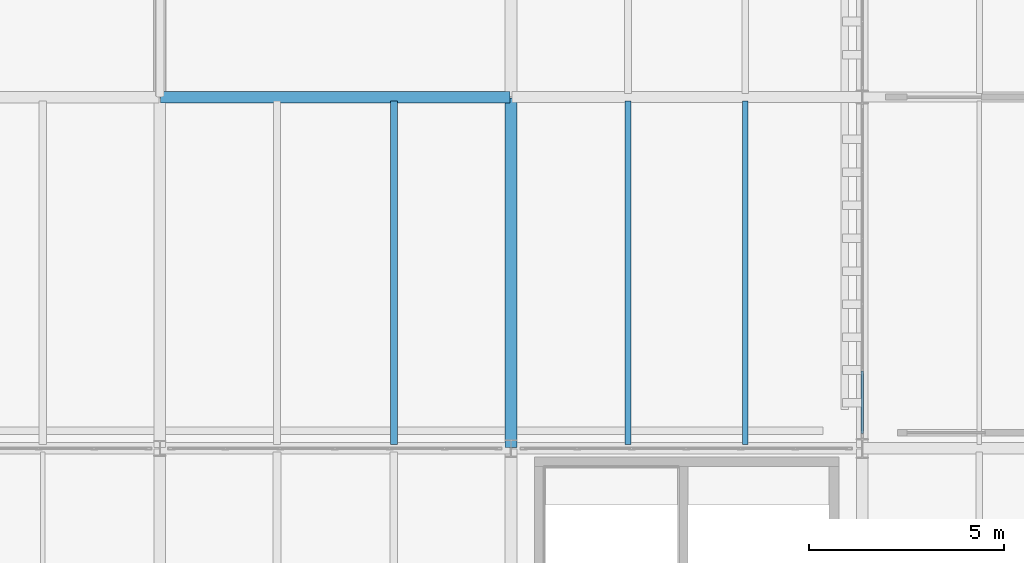
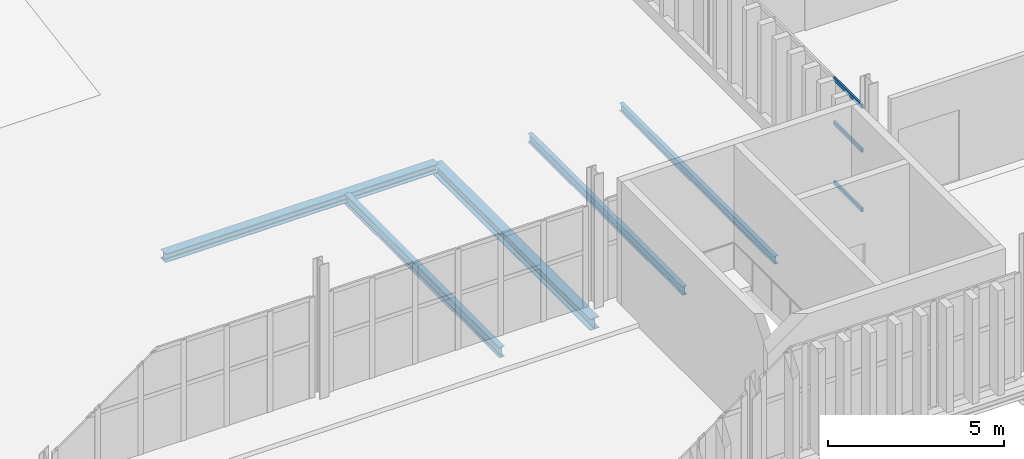
# One storey, part 45 of 196: 5 beams, 3 members, 1 element without a shape of its own.
"""IFC4 building model written with IfcOpenShell, lengths in metres."""

from ifc_helpers import new_model, si_unit, direction, frame, origin, origin_2d, place, context, subcontext, project, spatial, hollow_rectangle, i_section, extrude, material, layer, layer_set, material_profile, profile_set, type_object, element, aggregate, save


model = new_model("IFC4")

# Units and contexts
model_context = context("Model", 3, precision=1e-05, world=origin(), true_north=direction((0.0, 1.0)))
body_context = subcontext(model_context, "Body", "Model", "MODEL_VIEW")
ifc_project = project(units=[si_unit("LENGTHUNIT", "METRE"), si_unit("AREAUNIT", "SQUARE_METRE"), si_unit("VOLUMEUNIT", "CUBIC_METRE"), si_unit("PLANEANGLEUNIT", "RADIAN"), si_unit("MASSUNIT", "GRAM", prefix="KILO")], contexts=[model_context])

# Site, building, storey
site_placement = place(None, origin())
site = spatial("IfcSite", under=ifc_project, at=site_placement, CompositionType="ELEMENT")
building_placement = place(site_placement, origin())
building = spatial("IfcBuilding", under=site, at=building_placement, Name="Barlavento Convention Centre", CompositionType="ELEMENT")
storey_placement = place(building_placement, frame((0.0, 0.0, 18.0)))
storey = spatial("IfcBuildingStorey", under=building, at=storey_placement, Name="L03", CompositionType="ELEMENT", Elevation=18.0)

# Curtain wall, members
ifc_material_1 = material(Name="Powder-coated aluminium and Low-E glass", Category="aluminium")
ifc_layer = layer(ifc_material_1, 0.179931640625)
ifc_layer_set = layer_set([ifc_layer], Name="ARC-CW-CONF-L03")
curtain_wall_type = type_object("IfcCurtainWallType", Name="ARC-CW-CONF-L03", PredefinedType="NOTDEFINED", material=ifc_layer_set)
curtain_wall_placement = place(storey_placement, origin())
curtain_wall = element("IfcCurtainWall", 1, at=curtain_wall_placement, inside=storey, type_object=curtain_wall_type, Name="L03 unitised curtain wall CW08", PredefinedType="NOTDEFINED")
ifc_material_2 = material(Name="Powder-coated aluminium", Category="aluminium")
ifc_material_profile_1 = material_profile(ifc_material_2, hollow_rectangle(XDim=0.06005859375, YDim=0.139892578125, WallThickness=0.00390625, at=origin_2d()), Name="AL-TRAN 60x140x4")
ifc_profile_set_1 = profile_set([ifc_material_profile_1], Name="Powder-coated aluminium")
member_type = type_object("IfcMemberType", Name="ARC-CWT-60X140", PredefinedType="USERDEFINED", material=ifc_profile_set_1)
member_1_placement = place(storey_placement, frame((126.0, 54.3798828125, 0.030029296875), z_axis=(0.0, 1.0, 0.0), x_axis=(-1.0, 0.0, 0.0)))
member_1 = element("IfcMember", 2, at=member_1_placement, type_object=member_type, Name="CW08 transom 1.1", ObjectType="TRANSOM", PredefinedType="USERDEFINED", context=body_context, shape_type="SweptSolid", body=[
    extrude(hollow_rectangle(XDim=0.06005859375, YDim=0.139892578125, WallThickness=0.00390625, at=origin_2d()), origin(), (0.0, 0.0, 1.0), 1.59814453125),
])
member_2_placement = place(storey_placement, frame((126.0, 54.3798828125, 2.10009765625), z_axis=(0.0, 1.0, 0.0), x_axis=(-1.0, 0.0, 0.0)))
member_2 = element("IfcMember", 3, at=member_2_placement, type_object=member_type, Name="CW08 transom 1.2", ObjectType="TRANSOM", PredefinedType="USERDEFINED", context=body_context, shape_type="SweptSolid", body=[
    extrude(hollow_rectangle(XDim=0.06005859375, YDim=0.139892578125, WallThickness=0.00390625, at=origin_2d()), origin(), (0.0, 0.0, 1.0), 1.59814453125),
])
member_3_placement = place(storey_placement, frame((126.0, 54.3798828125, 3.6201171875), z_axis=(0.0, 1.0, 0.0), x_axis=(-1.0, 0.0, 0.0)))
member_3 = element("IfcMember", 4, at=member_3_placement, type_object=member_type, Name="CW08 transom 1.3", ObjectType="TRANSOM", PredefinedType="USERDEFINED", context=body_context, shape_type="SweptSolid", body=[
    extrude(hollow_rectangle(XDim=0.06005859375, YDim=0.139892578125, WallThickness=0.00390625, at=origin_2d()), origin(), (0.0, 0.0, 1.0), 1.59814453125),
])
aggregate(curtain_wall, [member_1, member_2, member_3])

# Beams
ifc_material_3 = material(Name="Steel S355", Category="steel")
ifc_material_profile_2 = material_profile(ifc_material_3, i_section(OverallWidth=0.135009765625, OverallDepth=0.27001953125, WebThickness=0.006591796875, FlangeThickness=0.01025390625, FilletRadius=0.014892578125, at=origin_2d()), Name="IPE 270")
ifc_profile_set_2 = profile_set([ifc_material_profile_2], Name="Steel S355")
beam_type_1 = type_object("IfcBeamType", Name="STR-BM-JST-IPE270", PredefinedType="JOIST", material=ifc_profile_set_2)
beam_1_placement = place(storey_placement, frame((123.0, 54.094970703125, -0.47998046875), z_axis=(0.0, 1.0, 0.0), x_axis=(-1.0, 0.0, 0.0)))
element("IfcBeam", 5, at=beam_1_placement, inside=storey, type_object=beam_type_1, Name="L03 composite floor joist SJ08", PredefinedType="JOIST", context=body_context, shape_type="SweptSolid", body=[
    extrude(i_section(OverallWidth=0.135009765625, OverallDepth=0.27001953125, WebThickness=0.006591796875, FlangeThickness=0.01025390625, FilletRadius=0.014892578125, at=origin_2d()), origin(), (0.0, 0.0, 1.0), 8.81005859375),
])
ifc_material_profile_3 = material_profile(ifc_material_3, i_section(OverallWidth=0.14990234375, OverallDepth=0.300048828125, WebThickness=0.007080078125, FlangeThickness=0.0107421875, FilletRadius=0.014892578125, at=origin_2d()), Name="IPE 300")
ifc_profile_set_3 = profile_set([ifc_material_profile_3], Name="Steel S355")
beam_type_2 = type_object("IfcBeamType", Name="STR-BM-JST-IPE300", PredefinedType="JOIST", material=ifc_profile_set_3)
beam_2_placement = place(storey_placement, frame((120.0, 54.094970703125, -0.4951171875), z_axis=(0.0, 1.0, 0.0), x_axis=(-1.0, 0.0, 0.0)))
element("IfcBeam", 6, at=beam_2_placement, inside=storey, type_object=beam_type_2, Name="L03 composite floor joist SJ07", PredefinedType="JOIST", context=body_context, shape_type="SweptSolid", body=[
    extrude(i_section(OverallWidth=0.14990234375, OverallDepth=0.300048828125, WebThickness=0.007080078125, FlangeThickness=0.0107421875, FilletRadius=0.014892578125, at=origin_2d()), origin(), (0.0, 0.0, 1.0), 8.81005859375),
])
ifc_material_profile_4 = material_profile(ifc_material_3, i_section(OverallWidth=0.169921875, OverallDepth=0.360107421875, WebThickness=0.008056640625, FlangeThickness=0.0126953125, FilletRadius=0.01806640625, at=origin_2d()), Name="IPE 360")
ifc_profile_set_4 = profile_set([ifc_material_profile_4], Name="Steel S355")
beam_type_3 = type_object("IfcBeamType", Name="STR-BM-JST-IPE360", PredefinedType="JOIST", material=ifc_profile_set_4)
beam_3_placement = place(storey_placement, frame((114.0, 54.094970703125, -0.52490234375), z_axis=(0.0, 1.0, 0.0), x_axis=(-1.0, 0.0, 0.0)))
element("IfcBeam", 7, at=beam_3_placement, inside=storey, type_object=beam_type_3, Name="L03 composite floor joist SJ05", PredefinedType="JOIST", context=body_context, shape_type="SweptSolid", body=[
    extrude(i_section(OverallWidth=0.169921875, OverallDepth=0.360107421875, WebThickness=0.008056640625, FlangeThickness=0.0126953125, FilletRadius=0.01806640625, at=origin_2d()), origin(), (0.0, 0.0, 1.0), 8.81005859375),
])
ifc_material_profile_5 = material_profile(ifc_material_3, i_section(OverallWidth=0.300048828125, OverallDepth=0.389892578125, WebThickness=0.010986328125, FlangeThickness=0.01904296875, FilletRadius=0.027099609375, at=origin_2d()), Name="HEA 400")
ifc_profile_set_5 = profile_set([ifc_material_profile_5], Name="Steel S355")
beam_type_4 = type_object("IfcBeamType", Name="STR-BM-PRI-HEA400", PredefinedType="BEAM", material=ifc_profile_set_5)
beam_4_placement = place(storey_placement, frame((117.0, 54.02001953125, -0.5400390625), z_axis=(0.0, 1.0, 0.0), x_axis=(-1.0, 0.0, 0.0)))
element("IfcBeam", 8, at=beam_4_placement, inside=storey, type_object=beam_type_4, Name="L03 grid girder BG22", PredefinedType="BEAM", context=body_context, shape_type="SweptSolid", body=[
    extrude(i_section(OverallWidth=0.300048828125, OverallDepth=0.389892578125, WebThickness=0.010986328125, FlangeThickness=0.01904296875, FilletRadius=0.027099609375, at=origin_2d()), origin(), (0.0, 0.0, 1.0), 8.9599609375),
])
ifc_material_profile_6 = material_profile(ifc_material_3, i_section(OverallWidth=0.300048828125, OverallDepth=0.300048828125, WebThickness=0.010986328125, FlangeThickness=0.01904296875, FilletRadius=0.027099609375, at=origin_2d()), Name="HEB 300")
ifc_profile_set_6 = profile_set([ifc_material_profile_6], Name="Steel S355")
beam_type_5 = type_object("IfcBeamType", Name="STR-BM-PRI-HEB300", PredefinedType="BEAM", material=ifc_profile_set_6)
beam_5_placement = place(storey_placement, frame((108.02001953125, 63.0, -0.4951171875), z_axis=(1.0, 0.0, 0.0), x_axis=(0.0, 1.0, 0.0)))
element("IfcBeam", 9, at=beam_5_placement, inside=storey, type_object=beam_type_5, Name="L03 primary girder BG14", PredefinedType="BEAM", context=body_context, shape_type="SweptSolid", body=[
    extrude(i_section(OverallWidth=0.300048828125, OverallDepth=0.300048828125, WebThickness=0.010986328125, FlangeThickness=0.01904296875, FilletRadius=0.027099609375, at=origin_2d()), origin(), (0.0, 0.0, 1.0), 8.9599609375),
])

save(model, "model.ifc")
